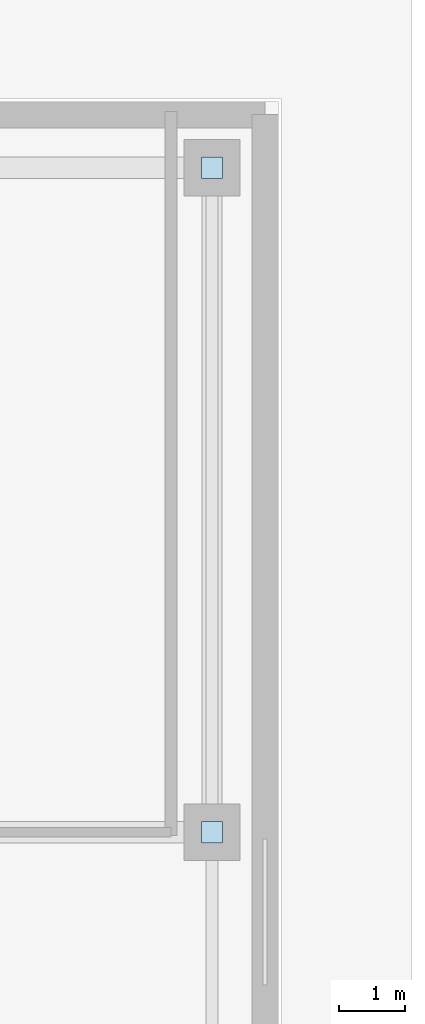
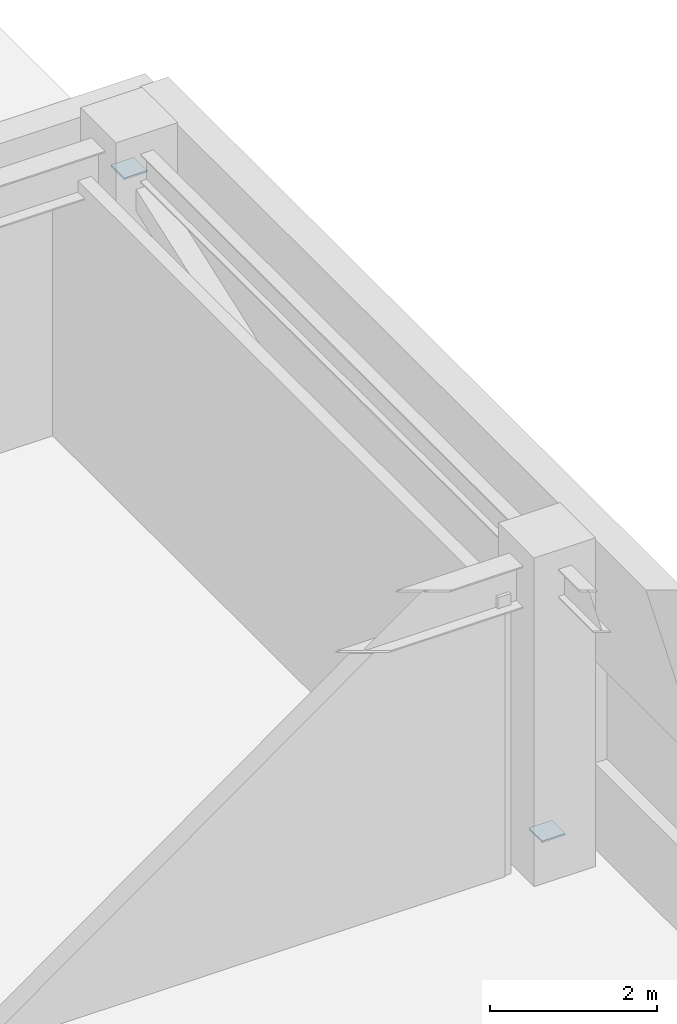
# One storey, part 21 of 35: 2 plates.
"""IFC4 building model written with IfcOpenShell, lengths in metres."""

from ifc_helpers import new_model, si_unit, direction, frame, origin, origin_2d, place, context, subcontext, project, spatial, rectangle, extrude, material, layer, layer_set, type_object, element, save


model = new_model("IFC4")

# Units and contexts
model_context = context("Model", 3, precision=1e-05, world=origin(), true_north=direction((0.0, 1.0)))
body_context = subcontext(model_context, "Body", "Model", "MODEL_VIEW")
ifc_project = project(units=[si_unit("LENGTHUNIT", "METRE"), si_unit("AREAUNIT", "SQUARE_METRE"), si_unit("VOLUMEUNIT", "CUBIC_METRE"), si_unit("PLANEANGLEUNIT", "RADIAN"), si_unit("MASSUNIT", "GRAM", prefix="KILO")], contexts=[model_context])

# Site, building, storey
site_placement = place(None, origin())
site = spatial("IfcSite", under=ifc_project, at=site_placement, CompositionType="ELEMENT")
building_placement = place(site_placement, origin())
building = spatial("IfcBuilding", under=site, at=building_placement, Name="Kazevale Care Tower and Concert Hall", CompositionType="ELEMENT")
storey_placement = place(building_placement, origin())
storey = spatial("IfcBuildingStorey", under=building, at=storey_placement, Name="L00", CompositionType="ELEMENT", Elevation=0.0)

# Plates
ifc_material = material(Name="Steel ASTM A572 Gr 50", Category="steel")
ifc_layer = layer(ifc_material, 0.02490234375)
ifc_layer_set = layer_set([ifc_layer], Name="Steel ASTM A572 Gr 50")
plate_type = type_object("IfcPlateType", Name="Hollow Section End Cap Plate 25mm", PredefinedType="USERDEFINED", material=ifc_layer_set)
for number, where, z_axis, x_axis, name in (
    (1, (145.0, 47.0, 0.387451171875), (0.0, 0.0, 1.0), (1.0, 0.0, 0.0), "brace:L00:hwW:cap0"),
    (2, (145.0, 57.0, 4.007568359375), (0.0, 0.0, 1.0), (1.0, 0.0, 0.0), "brace:L00:hwW:cap1"),
):
    element("IfcPlate", number, at=place(storey_placement, frame(where, z_axis=z_axis, x_axis=x_axis)), inside=storey, type_object=plate_type, Name=name, ObjectType="END_CAP_PLATE", PredefinedType="USERDEFINED", context=body_context, shape_type="SweptSolid", body=[
        extrude(rectangle(XDim=0.320068359375, YDim=0.320068359375, at=origin_2d()), origin(), (0.0, 0.0, 1.0), 0.02490234375),
    ])

save(model, "model.ifc")
